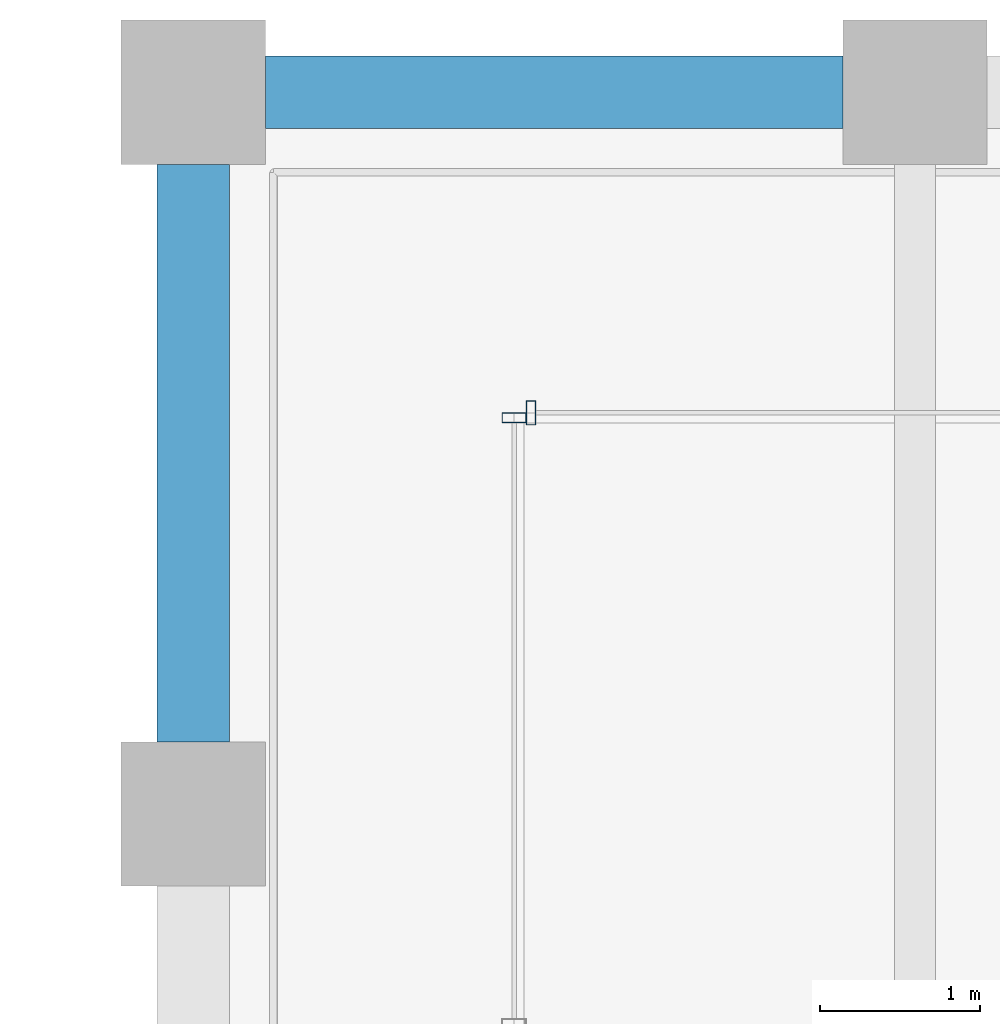
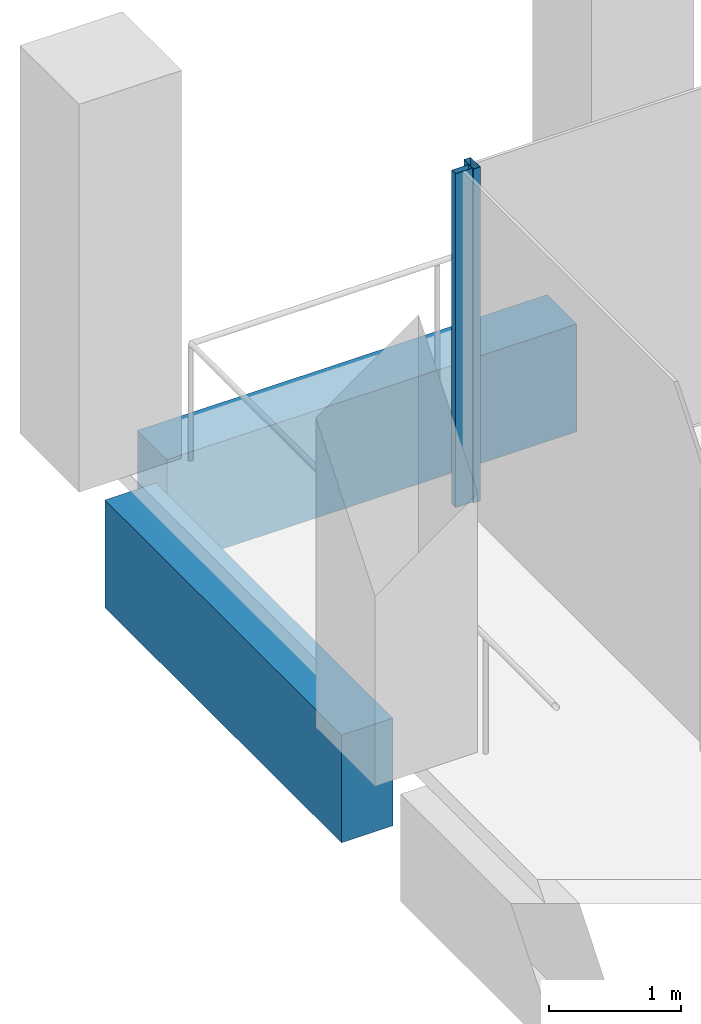
# One storey, part 21 of 40: 2 beams, 2 members, 2 elements without a shape of their own.
"""IFC4 building model written with IfcOpenShell, lengths in metres."""

from ifc_helpers import new_model, si_unit, direction, frame, origin, origin_2d, place, context, subcontext, project, spatial, rectangle, hollow_rectangle, extrude, material, material_profile, profile_set, type_object, element, aggregate, save


model = new_model("IFC4")

# Units and contexts
model_context = context("Model", 3, precision=1e-05, world=origin(), true_north=direction((0.0, 1.0)))
body_context = subcontext(model_context, "Body", "Model", "MODEL_VIEW")
ifc_project = project(units=[si_unit("LENGTHUNIT", "METRE"), si_unit("AREAUNIT", "SQUARE_METRE"), si_unit("VOLUMEUNIT", "CUBIC_METRE"), si_unit("PLANEANGLEUNIT", "RADIAN"), si_unit("MASSUNIT", "GRAM", prefix="KILO")], contexts=[model_context])

# Site, building, storey
site_placement = place(None, origin())
site = spatial("IfcSite", under=ifc_project, at=site_placement, CompositionType="ELEMENT")
building_placement = place(site_placement, origin())
building = spatial("IfcBuilding", under=site, at=building_placement, Name="Altepetl Exchange Towers", CompositionType="ELEMENT")
storey_placement = place(building_placement, frame((0.0, 0.0, 154.60009765625)))
storey = spatial("IfcBuildingStorey", under=building, at=storey_placement, Name="L38", CompositionType="ELEMENT", Elevation=154.60009765625)

# Curtain wall, member
ifc_material_1 = material(Name="Aluminium 6063-T6 glazing", Category="aluminium")
curtain_wall_type = type_object("IfcCurtainWallType", Name="Loggia glazing system", PredefinedType="NOTDEFINED", material=ifc_material_1)
curtain_wall_1_placement = place(storey_placement, origin())
curtain_wall_1 = element("IfcCurtainWall", 1, at=curtain_wall_1_placement, inside=storey, type_object=curtain_wall_type, Name="CW1 run", PredefinedType="NOTDEFINED")
ifc_material_2 = material(Name="Aluminium 6063-T6", Category="aluminium")
ifc_material_profile_1 = material_profile(ifc_material_2, hollow_rectangle(XDim=0.06005859375, YDim=0.14990234375, WallThickness=0.0029296875, at=origin_2d()), Name="Mullion 60x150 aluminium")
ifc_profile_set_1 = profile_set([ifc_material_profile_1], Name="Aluminium 6063-T6")
member_type = type_object("IfcMemberType", Name="Mullion 60x150 aluminium", PredefinedType="MULLION", material=ifc_profile_set_1)
member_1_placement = place(storey_placement, frame((42.60498046875, 70.0, 0.0), z_axis=(0.0, 0.0, 1.0), x_axis=(-1.0, 0.0, 0.0)))
member_1 = element("IfcMember", 2, at=member_1_placement, type_object=member_type, Name="MU1 mullion", PredefinedType="MULLION", context=body_context, shape_type="SweptSolid", body=[
    extrude(hollow_rectangle(XDim=0.06005859375, YDim=0.14990234375, WallThickness=0.0029296875, at=origin_2d()), origin(), (0.0, 0.0, 1.0), 3.099853515625),
])
aggregate(curtain_wall_1, [member_1])

curtain_wall_2_placement = place(storey_placement, origin())
curtain_wall_2 = element("IfcCurtainWall", 3, at=curtain_wall_2_placement, inside=storey, type_object=curtain_wall_type, Name="CW1 run", PredefinedType="NOTDEFINED")
member_2_placement = place(storey_placement, frame((42.5, 69.969970703125, 0.0), z_axis=(0.0, 0.0, 1.0), x_axis=(0.0, -1.0, 0.0)))
member_2 = element("IfcMember", 4, at=member_2_placement, type_object=member_type, Name="MU1 mullion", PredefinedType="MULLION", context=body_context, shape_type="SweptSolid", body=[
    extrude(hollow_rectangle(XDim=0.06005859375, YDim=0.14990234375, WallThickness=0.0029296875, at=origin_2d()), origin(), (0.0, 0.0, 1.0), 3.099853515625),
])
aggregate(curtain_wall_2, [member_2])

# Beams
ifc_material_3 = material(Name="Concrete C50/60 precast with cantera rosa facing", Category="concrete")
ifc_material_profile_2 = material_profile(ifc_material_3, rectangle(XDim=0.449951171875, YDim=1.0, at=origin_2d()), Name="450 x 1000")
ifc_profile_set_2 = profile_set([ifc_material_profile_2], Name="Concrete C50/60 precast with cantera rosa facing")
beam_type_1 = type_object("IfcBeamType", Name="Spandrel beam 450x1000 cantera rosa", PredefinedType="SPANDREL", material=ifc_profile_set_2)
beam_1_placement = place(storey_placement, frame((44.550048828125, 72.0, -0.650146484375), z_axis=(-1.0, 0.0, 0.0), x_axis=(0.0, -1.0, 0.0)))
element("IfcBeam", 5, at=beam_1_placement, inside=storey, type_object=beam_type_1, Name="sp:A:L38:029", PredefinedType="SPANDREL", context=body_context, shape_type="SweptSolid", body=[
    extrude(rectangle(XDim=0.449951171875, YDim=1.0, at=origin_2d()), origin(), (0.0, 0.0, 1.0), 3.60009765625),
])
ifc_material_4 = material(Name="Concrete C50/60 precast with tezontle facing", Category="concrete")
ifc_material_profile_3 = material_profile(ifc_material_4, rectangle(XDim=0.449951171875, YDim=1.0, at=origin_2d()), Name="450 x 1000")
ifc_profile_set_3 = profile_set([ifc_material_profile_3], Name="Concrete C50/60 precast with tezontle facing")
beam_type_2 = type_object("IfcBeamType", Name="Spandrel beam 450x1000 tezontle", PredefinedType="SPANDREL", material=ifc_profile_set_3)
beam_2_placement = place(storey_placement, frame((40.5, 71.550048828125, -0.650146484375), z_axis=(0.0, -1.0, 0.0), x_axis=(1.0, 0.0, 0.0)))
element("IfcBeam", 6, at=beam_2_placement, inside=storey, type_object=beam_type_2, Name="sp:A:L38:030", PredefinedType="SPANDREL", context=body_context, shape_type="SweptSolid", body=[
    extrude(rectangle(XDim=0.449951171875, YDim=1.0, at=origin_2d()), origin(), (0.0, 0.0, 1.0), 3.60009765625),
])

save(model, "model.ifc")
